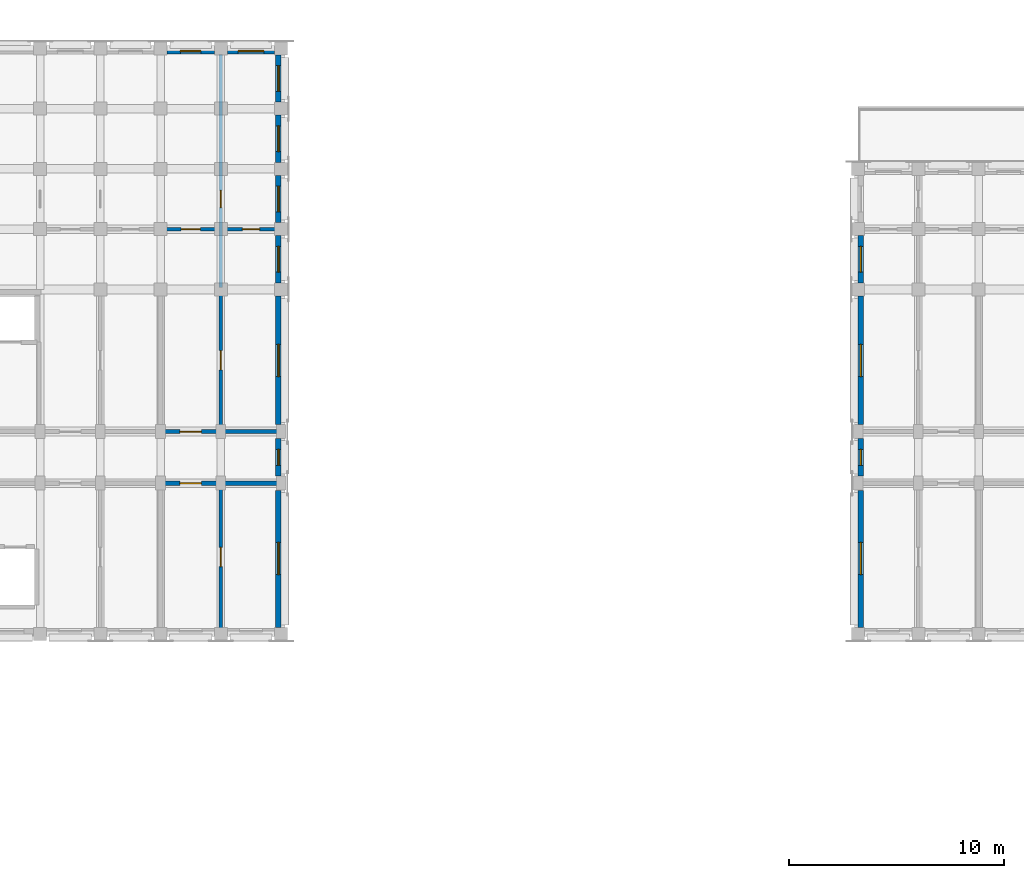
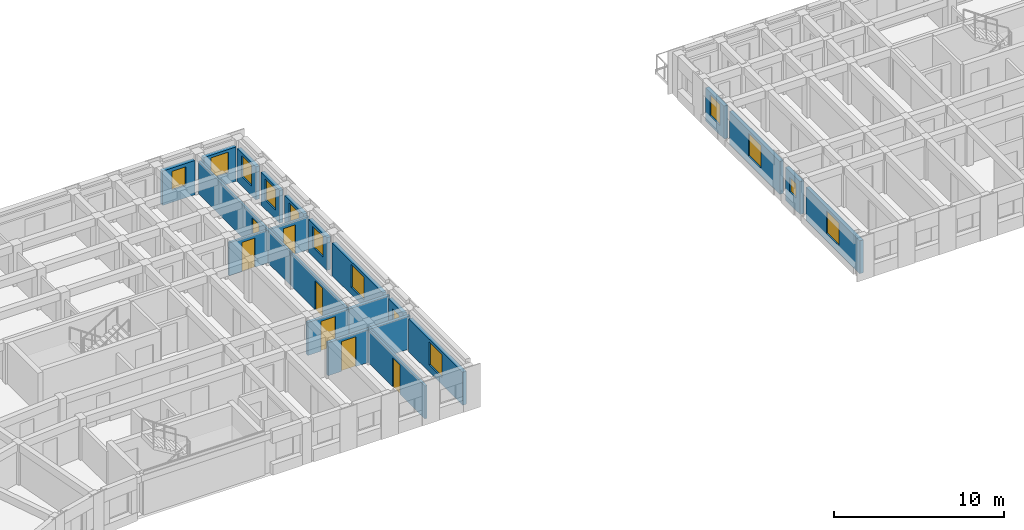
# One storey, part 21 of 41: 22 walls, 13 windows, 7 doors, 20 openings.
"""IFC4 building model written with IfcOpenShell, lengths in metres."""

from ifc_helpers import new_model, si_unit, direction, frame, frame_2d, origin, place, context, subcontext, project, spatial, rectangle, extrude, material, layer, layer_set, type_object, element, fill, save


model = new_model("IFC4")

# Units and contexts
model_context = context("Model", 3, precision=1e-05, world=origin(), true_north=direction((0.0, 1.0)))
body_context = subcontext(model_context, "Body", "Model", "MODEL_VIEW")
ifc_project = project(units=[si_unit("LENGTHUNIT", "METRE"), si_unit("AREAUNIT", "SQUARE_METRE"), si_unit("VOLUMEUNIT", "CUBIC_METRE"), si_unit("PLANEANGLEUNIT", "RADIAN"), si_unit("MASSUNIT", "GRAM", prefix="KILO")], contexts=[model_context])

# Site, building, storey
site_placement = place(None, origin())
site = spatial("IfcSite", under=ifc_project, at=site_placement, CompositionType="ELEMENT")
building_placement = place(site_placement, origin())
building = spatial("IfcBuilding", under=site, at=building_placement, Name="Kiranvali Square Residences", CompositionType="ELEMENT")
storey_placement = place(building_placement, frame((0.0, 0.0, 33.89990234375)))
storey = spatial("IfcBuildingStorey", under=building, at=storey_placement, Name="L10", CompositionType="ELEMENT", Elevation=33.89990234375)

# Wall, opening, door
ifc_material_1 = material(Name="Autoclaved aerated concrete blockwork masonry", Category="masonry")
ifc_layer_1 = layer(ifc_material_1, 0.199951171875)
ifc_layer_set_1 = layer_set([ifc_layer_1], Name="Autoclaved aerated concrete blockwork masonry")
wall_type_1 = type_object("IfcWallType", Name="WL-COR-200", PredefinedType="STANDARD", material=ifc_layer_set_1)
wall_1_placement = place(storey_placement, frame((65.0, 113.60009765625, 0.0), z_axis=(0.0, 0.0, 1.0), x_axis=(1.0, 0.0, 0.0)))
wall_1 = element("IfcWall", 1, at=wall_1_placement, inside=storey, type_object=wall_type_1, Name="L10 architectural wall WL-L10-A-A1CI-2", PredefinedType="STANDARD", context=body_context, shape_type="SweptSolid", body=[
    extrude(rectangle(XDim=2.800048828125, YDim=0.199951171875, at=frame_2d((1.39990234375, 0.0))), origin(), (0.0, 0.0, 1.0), 2.3720703125),
])
opening_1_placement = place(wall_1_placement, frame((0.89990234375, 0.0, 0.0)))
opening_1 = element("IfcOpeningElement", 2, at=opening_1_placement, cuts=wall_1, Name="Opening FD-APT-60", PredefinedType="OPENING", context=body_context, shape_type="SweptSolid", body=[
    extrude(rectangle(XDim=1.0, YDim=2.14990234375, at=frame_2d((0.5, 1.074951171875))), frame((0.0, 0.10986328125, 0.0), z_axis=(0.0, -1.0, 0.0), x_axis=(1.0, 0.0, 0.0)), (0.0, 0.0, 1.0), 0.219970703125),
])
ifc_material_2 = material(Name="Fire-rated acoustic hardwood and mineral-core door assembly", Category="wood")
door_type_1 = type_object("IfcDoorType", Name="DR-APT-1000", OperationType="NOTDEFINED", PredefinedType="DOOR", material=ifc_material_2)
door_1_placement = place(opening_1_placement, frame((1.0, 0.0, 0.0), z_axis=(0.0, 0.0, 1.0), x_axis=(-1.0, 0.0, 0.0)))
door_1 = element("IfcDoor", 3, at=door_1_placement, inside=storey, type_object=door_type_1, Name="L10 door DR-L10-0642 (DR-APT-1000)", OperationType="SINGLE_SWING_RIGHT", OverallHeight=2.14990234375, OverallWidth=1.0, PredefinedType="DOOR", context=body_context, shape_type="SweptSolid", body=[
    extrude(rectangle(XDim=1.0, YDim=2.14990234375, at=frame_2d((0.5, 1.074951171875))), frame((0.0, 0.02490234375, 0.0), z_axis=(0.0, -1.0, 0.0), x_axis=(1.0, 0.0, 0.0)), (0.0, 0.0, 1.0), 0.050048828125),
])
fill(opening_1, door_1)

wall_2_placement = place(storey_placement, frame((65.0, 116.0, 0.0), z_axis=(0.0, 0.0, 1.0), x_axis=(1.0, 0.0, 0.0)))
wall_2 = element("IfcWall", 4, at=wall_2_placement, inside=storey, type_object=wall_type_1, Name="L10 architectural wall WL-L10-A-A1CO-2", PredefinedType="STANDARD", context=body_context, shape_type="SweptSolid", body=[
    extrude(rectangle(XDim=2.800048828125, YDim=0.199951171875, at=frame_2d((1.39990234375, 0.0))), origin(), (0.0, 0.0, 1.0), 2.3720703125),
])
opening_2_placement = place(wall_2_placement, frame((0.89990234375, 0.0, 0.0)))
opening_2 = element("IfcOpeningElement", 5, at=opening_2_placement, cuts=wall_2, Name="Opening FD-APT-60", PredefinedType="OPENING", context=body_context, shape_type="SweptSolid", body=[
    extrude(rectangle(XDim=1.0, YDim=2.14990234375, at=frame_2d((0.5, 1.074951171875))), frame((0.0, 0.10986328125, 0.0), z_axis=(0.0, -1.0, 0.0), x_axis=(1.0, 0.0, 0.0)), (0.0, 0.0, 1.0), 0.219970703125),
])
door_2_placement = place(opening_2_placement, frame((1.0, 0.0, 0.0), z_axis=(0.0, 0.0, 1.0), x_axis=(-1.0, 0.0, 0.0)))
door_2 = element("IfcDoor", 6, at=door_2_placement, inside=storey, type_object=door_type_1, Name="L10 door DR-L10-0644 (DR-APT-1000)", OperationType="SINGLE_SWING_RIGHT", OverallHeight=2.14990234375, OverallWidth=1.0, PredefinedType="DOOR", context=body_context, shape_type="SweptSolid", body=[
    extrude(rectangle(XDim=1.0, YDim=2.14990234375, at=frame_2d((0.5, 1.074951171875))), frame((0.0, 0.02490234375, 0.0), z_axis=(0.0, -1.0, 0.0), x_axis=(1.0, 0.0, 0.0)), (0.0, 0.0, 1.0), 0.050048828125),
])
fill(opening_2, door_2)

# Walls
for number, where, z_axis, x_axis, name in (
    (7, (67.800048828125, 113.60009765625, 0.0), (0.0, 0.0, 1.0), (1.0, 0.0, 0.0), "L10 architectural wall WL-L10-A-A1CI-3"),
    (8, (67.800048828125, 116.0, 0.0), (0.0, 0.0, 1.0), (1.0, 0.0, 0.0), "L10 architectural wall WL-L10-A-A1CO-3"),
):
    element("IfcWall", number, at=place(storey_placement, frame(where, z_axis=z_axis, x_axis=x_axis)), inside=storey, type_object=wall_type_1, Name=name, PredefinedType="STANDARD", context=body_context, shape_type="SweptSolid", body=[
        extrude(rectangle(XDim=2.800048828125, YDim=0.199951171875, at=frame_2d((1.39990234375, 0.0))), origin(), (0.0, 0.0, 1.0), 2.3720703125),
    ])

# Wall, opening, window
ifc_material_3 = material(Name="Breathable lime-rendered clay brick masonry", Category="masonry")
ifc_layer_2 = layer(ifc_material_3, 0.25)
ifc_layer_set_2 = layer_set([ifc_layer_2], Name="Breathable lime-rendered clay brick masonry")
wall_type_2 = type_object("IfcWallType", Name="WL-EXT-250", PredefinedType="STANDARD", material=ifc_layer_set_2)
wall_3_placement = place(storey_placement, frame((65.303466796875, 133.675048828125, 0.0), z_axis=(0.0, 0.0, 1.0), x_axis=(1.0, 0.0, 0.0)))
wall_3 = element("IfcWall", 9, at=wall_3_placement, inside=storey, type_object=wall_type_2, Name="L10 exterior wall A-L10-A1O-4", PredefinedType="STANDARD", context=body_context, shape_type="SweptSolid", body=[
    extrude(rectangle(XDim=2.193115234375, YDim=0.25, at=frame_2d((1.0966796875, 0.0))), origin(), (0.0, 0.0, 1.0), 2.47216796875),
])
opening_3_placement = place(wall_3_placement, frame((0.62158203125, 0.0, 0.8798828125)))
opening_3 = element("IfcOpeningElement", 10, at=opening_3_placement, cuts=wall_3, Name="Opening W-16", PredefinedType="OPENING", context=body_context, shape_type="SweptSolid", body=[
    extrude(rectangle(XDim=0.949951171875, YDim=1.35009765625, at=frame_2d((0.47509765625, 0.675048828125))), frame((0.0, 0.135009765625, 0.0), z_axis=(0.0, -1.0, 0.0), x_axis=(1.0, 0.0, 0.0)), (0.0, 0.0, 1.0), 0.27001953125),
])
ifc_material_4 = material(Name="Solar-control low-e double glazing", Category="glass")
window_type_1 = type_object("IfcWindowType", Name="WIN-RES-950x1350", PartitioningType="SINGLE_PANEL", PredefinedType="WINDOW", material=ifc_material_4)
window_1_placement = place(opening_3_placement, origin())
window_1 = element("IfcWindow", 11, at=window_1_placement, inside=storey, type_object=window_type_1, Name="L10 recessed window A-L10-A1O-4", OverallHeight=1.35009765625, OverallWidth=0.949951171875, PartitioningType="SINGLE_PANEL", PredefinedType="WINDOW", context=body_context, shape_type="SweptSolid", body=[
    extrude(rectangle(XDim=0.949951171875, YDim=1.35009765625, at=frame_2d((0.47509765625, 0.675048828125))), frame((0.0, 0.030029296875, 0.0), z_axis=(0.0, -1.0, 0.0), x_axis=(1.0, 0.0, 0.0)), (0.0, 0.0, 1.0), 0.06005859375),
])
fill(opening_3, window_1)

wall_4_placement = place(storey_placement, frame((68.103515625, 133.675048828125, 0.0), z_axis=(0.0, 0.0, 1.0), x_axis=(1.0, 0.0, 0.0)))
wall_4 = element("IfcWall", 12, at=wall_4_placement, inside=storey, type_object=wall_type_2, Name="L10 exterior wall A-L10-A1O-5", PredefinedType="STANDARD", context=body_context, shape_type="SweptSolid", body=[
    extrude(rectangle(XDim=2.19287109375, YDim=0.25, at=frame_2d((1.096435546875, 0.0))), origin(), (0.0, 0.0, 1.0), 2.47216796875),
])
opening_4_placement = place(wall_4_placement, frame((0.49658203125, 0.0, 0.77197265625)))
opening_4 = element("IfcOpeningElement", 13, at=opening_4_placement, cuts=wall_4, Name="Opening W-06", PredefinedType="OPENING", context=body_context, shape_type="SweptSolid", body=[
    extrude(rectangle(XDim=1.199951171875, YDim=1.5, at=frame_2d((0.60009765625, 0.75))), frame((0.0, 0.135009765625, 0.0), z_axis=(0.0, -1.0, 0.0), x_axis=(1.0, 0.0, 0.0)), (0.0, 0.0, 1.0), 0.27001953125),
])
window_type_2 = type_object("IfcWindowType", Name="WIN-RES-1200x1500", PartitioningType="SINGLE_PANEL", PredefinedType="WINDOW", material=ifc_material_4)
window_2_placement = place(opening_4_placement, origin())
window_2 = element("IfcWindow", 14, at=window_2_placement, inside=storey, type_object=window_type_2, Name="L10 recessed window A-L10-A1O-5", OverallHeight=1.5, OverallWidth=1.199951171875, PartitioningType="SINGLE_PANEL", PredefinedType="WINDOW", context=body_context, shape_type="SweptSolid", body=[
    extrude(rectangle(XDim=1.199951171875, YDim=1.5, at=frame_2d((0.60009765625, 0.75))), frame((0.0, 0.030029296875, 0.0), z_axis=(0.0, -1.0, 0.0), x_axis=(1.0, 0.0, 0.0)), (0.0, 0.0, 1.0), 0.06005859375),
])
fill(opening_4, window_2)

wall_5_placement = place(storey_placement, frame((70.47509765625, 106.903564453125, 0.0), z_axis=(0.0, 0.0, 1.0), x_axis=(0.0, 1.0, 0.0)))
wall_5 = element("IfcWall", 15, at=wall_5_placement, inside=storey, type_object=wall_type_2, Name="L10 exterior wall A-L10-A1END-0", PredefinedType="STANDARD", context=body_context, shape_type="SweptSolid", body=[
    extrude(rectangle(XDim=6.367919921875, YDim=0.25, at=frame_2d((3.18408203125, 0.0))), origin(), (0.0, 0.0, 1.0), 2.3720703125),
])
opening_5_placement = place(wall_5_placement, frame((2.446533203125, 0.0, 0.52197265625)))
opening_5 = element("IfcOpeningElement", 16, at=opening_5_placement, cuts=wall_5, Name="Opening W-05", PredefinedType="OPENING", context=body_context, shape_type="SweptSolid", body=[
    extrude(rectangle(XDim=1.5, YDim=1.64990234375, at=frame_2d((0.75, 0.824951171875))), frame((0.0, 0.135009765625, 0.0), z_axis=(0.0, -1.0, 0.0), x_axis=(1.0, 0.0, 0.0)), (0.0, 0.0, 1.0), 0.27001953125),
])
window_type_3 = type_object("IfcWindowType", Name="WIN-RES-1500x1650", PartitioningType="DOUBLE_PANEL_VERTICAL", PredefinedType="WINDOW", material=ifc_material_4)
window_3_placement = place(opening_5_placement, origin())
window_3 = element("IfcWindow", 17, at=window_3_placement, inside=storey, type_object=window_type_3, Name="L10 recessed window A-L10-A1END-0", OverallHeight=1.64990234375, OverallWidth=1.5, PartitioningType="DOUBLE_PANEL_VERTICAL", PredefinedType="WINDOW", context=body_context, shape_type="SweptSolid", body=[
    extrude(rectangle(XDim=1.5, YDim=1.64990234375, at=frame_2d((0.75, 0.824951171875))), frame((0.0, 0.030029296875, 0.0), z_axis=(0.0, -1.0, 0.0), x_axis=(1.0, 0.0, 0.0)), (0.0, 0.0, 1.0), 0.06005859375),
])
fill(opening_5, window_3)

wall_6_placement = place(storey_placement, frame((70.47509765625, 113.928466796875, 0.0), z_axis=(0.0, 0.0, 1.0), x_axis=(0.0, 1.0, 0.0)))
wall_6 = element("IfcWall", 18, at=wall_6_placement, inside=storey, type_object=wall_type_2, Name="L10 exterior wall A-L10-A1END-1", PredefinedType="STANDARD", context=body_context, shape_type="SweptSolid", body=[
    extrude(rectangle(XDim=1.742919921875, YDim=0.25, at=frame_2d((0.87158203125, 0.0))), origin(), (0.0, 0.0, 1.0), 2.3720703125),
])
opening_6_placement = place(wall_6_placement, frame((0.49658203125, 0.0, 0.8798828125)))
opening_6 = element("IfcOpeningElement", 19, at=opening_6_placement, cuts=wall_6, Name="Opening W-07", PredefinedType="OPENING", context=body_context, shape_type="SweptSolid", body=[
    extrude(rectangle(XDim=0.75, YDim=1.050048828125, at=frame_2d((0.375, 0.52490234375))), frame((0.0, 0.135009765625, 0.0), z_axis=(0.0, -1.0, 0.0), x_axis=(1.0, 0.0, 0.0)), (0.0, 0.0, 1.0), 0.27001953125),
])
window_type_4 = type_object("IfcWindowType", Name="WIN-WET-750x1050", PartitioningType="SINGLE_PANEL", PredefinedType="WINDOW", material=ifc_material_4)
window_4_placement = place(opening_6_placement, origin())
window_4 = element("IfcWindow", 20, at=window_4_placement, inside=storey, type_object=window_type_4, Name="L10 recessed window A-L10-A1END-1", OverallHeight=1.050048828125, OverallWidth=0.75, PartitioningType="SINGLE_PANEL", PredefinedType="WINDOW", context=body_context, shape_type="SweptSolid", body=[
    extrude(rectangle(XDim=0.75, YDim=1.050048828125, at=frame_2d((0.375, 0.52490234375))), frame((0.0, 0.030029296875, 0.0), z_axis=(0.0, -1.0, 0.0), x_axis=(1.0, 0.0, 0.0)), (0.0, 0.0, 1.0), 0.06005859375),
])
fill(opening_6, window_4)

wall_7_placement = place(storey_placement, frame((70.47509765625, 116.32861328125, 0.0), z_axis=(0.0, 0.0, 1.0), x_axis=(0.0, 1.0, 0.0)))
wall_7 = element("IfcWall", 21, at=wall_7_placement, inside=storey, type_object=wall_type_2, Name="L10 exterior wall A-L10-A1END-2", PredefinedType="STANDARD", context=body_context, shape_type="SweptSolid", body=[
    extrude(rectangle(XDim=5.9677734375, YDim=0.25, at=frame_2d((2.98388671875, 0.0))), origin(), (0.0, 0.0, 1.0), 2.3720703125),
])
opening_7_placement = place(wall_7_placement, frame((2.221435546875, 0.0, 0.52197265625)))
opening_7 = element("IfcOpeningElement", 22, at=opening_7_placement, cuts=wall_7, Name="Opening W-05", PredefinedType="OPENING", context=body_context, shape_type="SweptSolid", body=[
    extrude(rectangle(XDim=1.5, YDim=1.64990234375, at=frame_2d((0.75, 0.824951171875))), frame((0.0, 0.135009765625, 0.0), z_axis=(0.0, -1.0, 0.0), x_axis=(1.0, 0.0, 0.0)), (0.0, 0.0, 1.0), 0.27001953125),
])
window_5_placement = place(opening_7_placement, origin())
window_5 = element("IfcWindow", 23, at=window_5_placement, inside=storey, type_object=window_type_3, Name="L10 recessed window A-L10-A1END-2", OverallHeight=1.64990234375, OverallWidth=1.5, PartitioningType="DOUBLE_PANEL_VERTICAL", PredefinedType="WINDOW", context=body_context, shape_type="SweptSolid", body=[
    extrude(rectangle(XDim=1.5, YDim=1.64990234375, at=frame_2d((0.75, 0.824951171875))), frame((0.0, 0.030029296875, 0.0), z_axis=(0.0, -1.0, 0.0), x_axis=(1.0, 0.0, 0.0)), (0.0, 0.0, 1.0), 0.06005859375),
])
fill(opening_7, window_5)

wall_8_placement = place(storey_placement, frame((70.47509765625, 122.903564453125, 0.0), z_axis=(0.0, 0.0, 1.0), x_axis=(0.0, 1.0, 0.0)))
wall_8 = element("IfcWall", 24, at=wall_8_placement, inside=storey, type_object=wall_type_2, Name="L10 exterior wall A-L10-A1END-3", PredefinedType="STANDARD", context=body_context, shape_type="SweptSolid", body=[
    extrude(rectangle(XDim=2.19287109375, YDim=0.25, at=frame_2d((1.096435546875, 0.0))), origin(), (0.0, 0.0, 1.0), 2.3720703125),
])
opening_8_placement = place(wall_8_placement, frame((0.49658203125, 0.0, 0.672119140625)))
opening_8 = element("IfcOpeningElement", 25, at=opening_8_placement, cuts=wall_8, Name="Opening W-06", PredefinedType="OPENING", context=body_context, shape_type="SweptSolid", body=[
    extrude(rectangle(XDim=1.199951171875, YDim=1.5, at=frame_2d((0.60009765625, 0.75))), frame((0.0, 0.135009765625, 0.0), z_axis=(0.0, -1.0, 0.0), x_axis=(1.0, 0.0, 0.0)), (0.0, 0.0, 1.0), 0.27001953125),
])
window_6_placement = place(opening_8_placement, origin())
window_6 = element("IfcWindow", 26, at=window_6_placement, inside=storey, type_object=window_type_2, Name="L10 recessed window A-L10-A1END-3", OverallHeight=1.5, OverallWidth=1.199951171875, PartitioningType="SINGLE_PANEL", PredefinedType="WINDOW", context=body_context, shape_type="SweptSolid", body=[
    extrude(rectangle(XDim=1.199951171875, YDim=1.5, at=frame_2d((0.60009765625, 0.75))), frame((0.0, 0.030029296875, 0.0), z_axis=(0.0, -1.0, 0.0), x_axis=(1.0, 0.0, 0.0)), (0.0, 0.0, 1.0), 0.06005859375),
])
fill(opening_8, window_6)

wall_9_placement = place(storey_placement, frame((70.47509765625, 125.70361328125, 0.0), z_axis=(0.0, 0.0, 1.0), x_axis=(0.0, 1.0, 0.0)))
wall_9 = element("IfcWall", 27, at=wall_9_placement, inside=storey, type_object=wall_type_2, Name="L10 exterior wall A-L10-A1END-4", PredefinedType="STANDARD", context=body_context, shape_type="SweptSolid", body=[
    extrude(rectangle(XDim=2.19287109375, YDim=0.25, at=frame_2d((1.096435546875, 0.0))), origin(), (0.0, 0.0, 1.0), 2.3720703125),
])
opening_9_placement = place(wall_9_placement, frame((0.49658203125, 0.0, 0.672119140625)))
opening_9 = element("IfcOpeningElement", 28, at=opening_9_placement, cuts=wall_9, Name="Opening W-06", PredefinedType="OPENING", context=body_context, shape_type="SweptSolid", body=[
    extrude(rectangle(XDim=1.199951171875, YDim=1.5, at=frame_2d((0.60009765625, 0.75))), frame((0.0, 0.135009765625, 0.0), z_axis=(0.0, -1.0, 0.0), x_axis=(1.0, 0.0, 0.0)), (0.0, 0.0, 1.0), 0.27001953125),
])
window_7_placement = place(opening_9_placement, origin())
window_7 = element("IfcWindow", 29, at=window_7_placement, inside=storey, type_object=window_type_2, Name="L10 recessed window A-L10-A1END-4", OverallHeight=1.5, OverallWidth=1.199951171875, PartitioningType="SINGLE_PANEL", PredefinedType="WINDOW", context=body_context, shape_type="SweptSolid", body=[
    extrude(rectangle(XDim=1.199951171875, YDim=1.5, at=frame_2d((0.60009765625, 0.75))), frame((0.0, 0.030029296875, 0.0), z_axis=(0.0, -1.0, 0.0), x_axis=(1.0, 0.0, 0.0)), (0.0, 0.0, 1.0), 0.06005859375),
])
fill(opening_9, window_7)

wall_10_placement = place(storey_placement, frame((70.47509765625, 128.50341796875, 0.0), z_axis=(0.0, 0.0, 1.0), x_axis=(0.0, 1.0, 0.0)))
wall_10 = element("IfcWall", 30, at=wall_10_placement, inside=storey, type_object=wall_type_2, Name="L10 exterior wall A-L10-A1END-5", PredefinedType="STANDARD", context=body_context, shape_type="SweptSolid", body=[
    extrude(rectangle(XDim=2.193115234375, YDim=0.25, at=frame_2d((1.0966796875, 0.0))), origin(), (0.0, 0.0, 1.0), 2.3720703125),
])
opening_10_placement = place(wall_10_placement, frame((0.49658203125, 0.0, 0.672119140625)))
opening_10 = element("IfcOpeningElement", 31, at=opening_10_placement, cuts=wall_10, Name="Opening W-06", PredefinedType="OPENING", context=body_context, shape_type="SweptSolid", body=[
    extrude(rectangle(XDim=1.199951171875, YDim=1.5, at=frame_2d((0.60009765625, 0.75))), frame((0.0, 0.135009765625, 0.0), z_axis=(0.0, -1.0, 0.0), x_axis=(1.0, 0.0, 0.0)), (0.0, 0.0, 1.0), 0.27001953125),
])
window_8_placement = place(opening_10_placement, origin())
window_8 = element("IfcWindow", 32, at=window_8_placement, inside=storey, type_object=window_type_2, Name="L10 recessed window A-L10-A1END-5", OverallHeight=1.5, OverallWidth=1.199951171875, PartitioningType="SINGLE_PANEL", PredefinedType="WINDOW", context=body_context, shape_type="SweptSolid", body=[
    extrude(rectangle(XDim=1.199951171875, YDim=1.5, at=frame_2d((0.60009765625, 0.75))), frame((0.0, 0.030029296875, 0.0), z_axis=(0.0, -1.0, 0.0), x_axis=(1.0, 0.0, 0.0)), (0.0, 0.0, 1.0), 0.06005859375),
])
fill(opening_10, window_8)

wall_11_placement = place(storey_placement, frame((70.47509765625, 131.303466796875, 0.0), z_axis=(0.0, 0.0, 1.0), x_axis=(0.0, 1.0, 0.0)))
wall_11 = element("IfcWall", 33, at=wall_11_placement, inside=storey, type_object=wall_type_2, Name="L10 exterior wall A-L10-A1END-6", PredefinedType="STANDARD", context=body_context, shape_type="SweptSolid", body=[
    extrude(rectangle(XDim=2.193115234375, YDim=0.25, at=frame_2d((1.0966796875, 0.0))), origin(), (0.0, 0.0, 1.0), 2.3720703125),
])
opening_11_placement = place(wall_11_placement, frame((0.49658203125, 0.0, 0.672119140625)))
opening_11 = element("IfcOpeningElement", 34, at=opening_11_placement, cuts=wall_11, Name="Opening W-06", PredefinedType="OPENING", context=body_context, shape_type="SweptSolid", body=[
    extrude(rectangle(XDim=1.199951171875, YDim=1.5, at=frame_2d((0.60009765625, 0.75))), frame((0.0, 0.135009765625, 0.0), z_axis=(0.0, -1.0, 0.0), x_axis=(1.0, 0.0, 0.0)), (0.0, 0.0, 1.0), 0.27001953125),
])
window_9_placement = place(opening_11_placement, origin())
window_9 = element("IfcWindow", 35, at=window_9_placement, inside=storey, type_object=window_type_2, Name="L10 recessed window A-L10-A1END-6", OverallHeight=1.5, OverallWidth=1.199951171875, PartitioningType="SINGLE_PANEL", PredefinedType="WINDOW", context=body_context, shape_type="SweptSolid", body=[
    extrude(rectangle(XDim=1.199951171875, YDim=1.5, at=frame_2d((0.60009765625, 0.75))), frame((0.0, 0.030029296875, 0.0), z_axis=(0.0, -1.0, 0.0), x_axis=(1.0, 0.0, 0.0)), (0.0, 0.0, 1.0), 0.06005859375),
])
fill(opening_11, window_9)

wall_12_placement = place(storey_placement, frame((97.52490234375, 106.903564453125, 0.0), z_axis=(0.0, 0.0, 1.0), x_axis=(0.0, 1.0, 0.0)))
wall_12 = element("IfcWall", 36, at=wall_12_placement, inside=storey, type_object=wall_type_2, Name="L10 exterior wall B-L10-A1END-0", PredefinedType="STANDARD", context=body_context, shape_type="SweptSolid", body=[
    extrude(rectangle(XDim=6.367919921875, YDim=0.25, at=frame_2d((3.18408203125, 0.0))), origin(), (0.0, 0.0, 1.0), 2.3720703125),
])
opening_12_placement = place(wall_12_placement, frame((2.446533203125, 0.0, 0.52197265625)))
opening_12 = element("IfcOpeningElement", 37, at=opening_12_placement, cuts=wall_12, Name="Opening W-05", PredefinedType="OPENING", context=body_context, shape_type="SweptSolid", body=[
    extrude(rectangle(XDim=1.5, YDim=1.64990234375, at=frame_2d((0.75, 0.824951171875))), frame((0.0, 0.135009765625, 0.0), z_axis=(0.0, -1.0, 0.0), x_axis=(1.0, 0.0, 0.0)), (0.0, 0.0, 1.0), 0.27001953125),
])
window_10_placement = place(opening_12_placement, origin())
window_10 = element("IfcWindow", 38, at=window_10_placement, inside=storey, type_object=window_type_3, Name="L10 recessed window B-L10-A1END-0", OverallHeight=1.64990234375, OverallWidth=1.5, PartitioningType="DOUBLE_PANEL_VERTICAL", PredefinedType="WINDOW", context=body_context, shape_type="SweptSolid", body=[
    extrude(rectangle(XDim=1.5, YDim=1.64990234375, at=frame_2d((0.75, 0.824951171875))), frame((0.0, 0.030029296875, 0.0), z_axis=(0.0, -1.0, 0.0), x_axis=(1.0, 0.0, 0.0)), (0.0, 0.0, 1.0), 0.06005859375),
])
fill(opening_12, window_10)

wall_13_placement = place(storey_placement, frame((97.52490234375, 113.928466796875, 0.0), z_axis=(0.0, 0.0, 1.0), x_axis=(0.0, 1.0, 0.0)))
wall_13 = element("IfcWall", 39, at=wall_13_placement, inside=storey, type_object=wall_type_2, Name="L10 exterior wall B-L10-A1END-1", PredefinedType="STANDARD", context=body_context, shape_type="SweptSolid", body=[
    extrude(rectangle(XDim=1.742919921875, YDim=0.25, at=frame_2d((0.87158203125, 0.0))), origin(), (0.0, 0.0, 1.0), 2.3720703125),
])
opening_13_placement = place(wall_13_placement, frame((0.49658203125, 0.0, 0.8798828125)))
opening_13 = element("IfcOpeningElement", 40, at=opening_13_placement, cuts=wall_13, Name="Opening W-07", PredefinedType="OPENING", context=body_context, shape_type="SweptSolid", body=[
    extrude(rectangle(XDim=0.75, YDim=1.050048828125, at=frame_2d((0.375, 0.52490234375))), frame((0.0, 0.135009765625, 0.0), z_axis=(0.0, -1.0, 0.0), x_axis=(1.0, 0.0, 0.0)), (0.0, 0.0, 1.0), 0.27001953125),
])
window_11_placement = place(opening_13_placement, origin())
window_11 = element("IfcWindow", 41, at=window_11_placement, inside=storey, type_object=window_type_4, Name="L10 recessed window B-L10-A1END-1", OverallHeight=1.050048828125, OverallWidth=0.75, PartitioningType="SINGLE_PANEL", PredefinedType="WINDOW", context=body_context, shape_type="SweptSolid", body=[
    extrude(rectangle(XDim=0.75, YDim=1.050048828125, at=frame_2d((0.375, 0.52490234375))), frame((0.0, 0.030029296875, 0.0), z_axis=(0.0, -1.0, 0.0), x_axis=(1.0, 0.0, 0.0)), (0.0, 0.0, 1.0), 0.06005859375),
])
fill(opening_13, window_11)

wall_14_placement = place(storey_placement, frame((97.52490234375, 116.32861328125, 0.0), z_axis=(0.0, 0.0, 1.0), x_axis=(0.0, 1.0, 0.0)))
wall_14 = element("IfcWall", 42, at=wall_14_placement, inside=storey, type_object=wall_type_2, Name="L10 exterior wall B-L10-A1END-2", PredefinedType="STANDARD", context=body_context, shape_type="SweptSolid", body=[
    extrude(rectangle(XDim=5.9677734375, YDim=0.25, at=frame_2d((2.98388671875, 0.0))), origin(), (0.0, 0.0, 1.0), 2.3720703125),
])
opening_14_placement = place(wall_14_placement, frame((2.221435546875, 0.0, 0.52197265625)))
opening_14 = element("IfcOpeningElement", 43, at=opening_14_placement, cuts=wall_14, Name="Opening W-05", PredefinedType="OPENING", context=body_context, shape_type="SweptSolid", body=[
    extrude(rectangle(XDim=1.5, YDim=1.64990234375, at=frame_2d((0.75, 0.824951171875))), frame((0.0, 0.135009765625, 0.0), z_axis=(0.0, -1.0, 0.0), x_axis=(1.0, 0.0, 0.0)), (0.0, 0.0, 1.0), 0.27001953125),
])
window_12_placement = place(opening_14_placement, origin())
window_12 = element("IfcWindow", 44, at=window_12_placement, inside=storey, type_object=window_type_3, Name="L10 recessed window B-L10-A1END-2", OverallHeight=1.64990234375, OverallWidth=1.5, PartitioningType="DOUBLE_PANEL_VERTICAL", PredefinedType="WINDOW", context=body_context, shape_type="SweptSolid", body=[
    extrude(rectangle(XDim=1.5, YDim=1.64990234375, at=frame_2d((0.75, 0.824951171875))), frame((0.0, 0.030029296875, 0.0), z_axis=(0.0, -1.0, 0.0), x_axis=(1.0, 0.0, 0.0)), (0.0, 0.0, 1.0), 0.06005859375),
])
fill(opening_14, window_12)

wall_15_placement = place(storey_placement, frame((97.52490234375, 122.903564453125, 0.0), z_axis=(0.0, 0.0, 1.0), x_axis=(0.0, 1.0, 0.0)))
wall_15 = element("IfcWall", 45, at=wall_15_placement, inside=storey, type_object=wall_type_2, Name="L10 exterior wall B-L10-A1END-3", PredefinedType="STANDARD", context=body_context, shape_type="SweptSolid", body=[
    extrude(rectangle(XDim=2.19287109375, YDim=0.25, at=frame_2d((1.096435546875, 0.0))), origin(), (0.0, 0.0, 1.0), 2.3720703125),
])
opening_15_placement = place(wall_15_placement, frame((0.49658203125, 0.0, 0.672119140625)))
opening_15 = element("IfcOpeningElement", 46, at=opening_15_placement, cuts=wall_15, Name="Opening W-06", PredefinedType="OPENING", context=body_context, shape_type="SweptSolid", body=[
    extrude(rectangle(XDim=1.199951171875, YDim=1.5, at=frame_2d((0.60009765625, 0.75))), frame((0.0, 0.135009765625, 0.0), z_axis=(0.0, -1.0, 0.0), x_axis=(1.0, 0.0, 0.0)), (0.0, 0.0, 1.0), 0.27001953125),
])
window_13_placement = place(opening_15_placement, origin())
window_13 = element("IfcWindow", 47, at=window_13_placement, inside=storey, type_object=window_type_2, Name="L10 recessed window B-L10-A1END-3", OverallHeight=1.5, OverallWidth=1.199951171875, PartitioningType="SINGLE_PANEL", PredefinedType="WINDOW", context=body_context, shape_type="SweptSolid", body=[
    extrude(rectangle(XDim=1.199951171875, YDim=1.5, at=frame_2d((0.60009765625, 0.75))), frame((0.0, 0.030029296875, 0.0), z_axis=(0.0, -1.0, 0.0), x_axis=(1.0, 0.0, 0.0)), (0.0, 0.0, 1.0), 0.06005859375),
])
fill(opening_15, window_13)

# Wall, opening, door
ifc_material_5 = material(Name="Acoustic gypsum board drylined partition", Category="gypsum")
ifc_layer_3 = layer(ifc_material_5, 0.14990234375)
ifc_layer_set_3 = layer_set([ifc_layer_3], Name="Acoustic gypsum board drylined partition")
wall_type_3 = type_object("IfcWallType", Name="WL-PRT-150", PredefinedType="PARTITIONING", material=ifc_layer_set_3)
wall_16_placement = place(storey_placement, frame((67.800048828125, 106.800048828125, 0.0), z_axis=(0.0, 0.0, 1.0), x_axis=(0.0, 1.0, 0.0)))
wall_16 = element("IfcWall", 48, at=wall_16_placement, inside=storey, type_object=wall_type_3, Name="L10 architectural wall WL-L10-A-A1TI-3", PredefinedType="PARTITIONING", context=body_context, shape_type="SweptSolid", body=[
    extrude(rectangle(XDim=6.75, YDim=0.14990234375, at=frame_2d((3.375, 0.0))), origin(), (0.0, 0.0, 1.0), 2.3720703125),
])
opening_16_placement = place(wall_16_placement, frame((2.925048828125, 0.0, 0.0)))
opening_16 = element("IfcOpeningElement", 49, at=opening_16_placement, cuts=wall_16, Name="Opening ID-1", PredefinedType="OPENING", context=body_context, shape_type="SweptSolid", body=[
    extrude(rectangle(XDim=0.89990234375, YDim=2.10009765625, at=frame_2d((0.449951171875, 1.050048828125))), frame((0.0, 0.0849609375, 0.0), z_axis=(0.0, -1.0, 0.0), x_axis=(1.0, 0.0, 0.0)), (0.0, 0.0, 1.0), 0.169921875),
])
ifc_material_6 = material(Name="Solid seasoned teak hardwood joinery", Category="wood")
door_type_2 = type_object("IfcDoorType", Name="DR-INT-900", OperationType="NOTDEFINED", PredefinedType="DOOR", material=ifc_material_6)
door_3_placement = place(opening_16_placement, frame((0.89990234375, 0.0, 0.0), z_axis=(0.0, 0.0, 1.0), x_axis=(-1.0, 0.0, 0.0)))
door_3 = element("IfcDoor", 50, at=door_3_placement, inside=storey, type_object=door_type_2, Name="L10 door DR-L10-0650 (DR-INT-900)", OperationType="SINGLE_SWING_RIGHT", OverallHeight=2.10009765625, OverallWidth=0.89990234375, PredefinedType="DOOR", context=body_context, shape_type="SweptSolid", body=[
    extrude(rectangle(XDim=0.89990234375, YDim=2.10009765625, at=frame_2d((0.449951171875, 1.050048828125))), frame((0.0, 0.02490234375, 0.0), z_axis=(0.0, -1.0, 0.0), x_axis=(1.0, 0.0, 0.0)), (0.0, 0.0, 1.0), 0.050048828125),
])
fill(opening_16, door_3)

wall_17_placement = place(storey_placement, frame((67.800048828125, 116.050048828125, 0.0), z_axis=(0.0, 0.0, 1.0), x_axis=(0.0, 1.0, 0.0)))
wall_17 = element("IfcWall", 51, at=wall_17_placement, inside=storey, type_object=wall_type_3, Name="L10 architectural wall WL-L10-A-A1TO1-3", PredefinedType="PARTITIONING", context=body_context, shape_type="SweptSolid", body=[
    extrude(rectangle(XDim=6.530029296875, YDim=0.14990234375, at=frame_2d((3.26513671875, 0.0))), origin(), (0.0, 0.0, 1.0), 2.3720703125),
])
opening_17_placement = place(wall_17_placement, frame((2.81494140625, 0.0, 0.0)))
opening_17 = element("IfcOpeningElement", 52, at=opening_17_placement, cuts=wall_17, Name="Opening ID-1", PredefinedType="OPENING", context=body_context, shape_type="SweptSolid", body=[
    extrude(rectangle(XDim=0.89990234375, YDim=2.10009765625, at=frame_2d((0.449951171875, 1.050048828125))), frame((0.0, 0.0849609375, 0.0), z_axis=(0.0, -1.0, 0.0), x_axis=(1.0, 0.0, 0.0)), (0.0, 0.0, 1.0), 0.169921875),
])
door_4_placement = place(opening_17_placement, origin())
door_4 = element("IfcDoor", 53, at=door_4_placement, inside=storey, type_object=door_type_2, Name="L10 door DR-L10-0651 (DR-INT-900)", OperationType="SINGLE_SWING_LEFT", OverallHeight=2.10009765625, OverallWidth=0.89990234375, PredefinedType="DOOR", context=body_context, shape_type="SweptSolid", body=[
    extrude(rectangle(XDim=0.89990234375, YDim=2.10009765625, at=frame_2d((0.449951171875, 1.050048828125))), frame((0.0, 0.02490234375, 0.0), z_axis=(0.0, -1.0, 0.0), x_axis=(1.0, 0.0, 0.0)), (0.0, 0.0, 1.0), 0.050048828125),
])
fill(opening_17, door_4)

wall_18_placement = place(storey_placement, frame((67.800048828125, 122.699951171875, 0.0), z_axis=(0.0, 0.0, 1.0), x_axis=(0.0, 1.0, 0.0)))
wall_18 = element("IfcWall", 54, at=wall_18_placement, inside=storey, type_object=wall_type_3, Name="L10 architectural wall WL-L10-A-A1TO2-3", PredefinedType="PARTITIONING", context=body_context, shape_type="SweptSolid", body=[
    extrude(rectangle(XDim=10.820068359375, YDim=0.14990234375, at=frame_2d((5.41015625, 0.0))), origin(), (0.0, 0.0, 1.0), 2.3720703125),
])
opening_18_placement = place(wall_18_placement, frame((3.69970703125, 0.0, 0.0)))
opening_18 = element("IfcOpeningElement", 55, at=opening_18_placement, cuts=wall_18, Name="Opening ID-WET", PredefinedType="OPENING", context=body_context, shape_type="SweptSolid", body=[
    extrude(rectangle(XDim=0.800048828125, YDim=2.10009765625, at=frame_2d((0.39990234375, 1.050048828125))), frame((0.0, 0.0849609375, 0.0), z_axis=(0.0, -1.0, 0.0), x_axis=(1.0, 0.0, 0.0)), (0.0, 0.0, 1.0), 0.169921875),
])
door_type_3 = type_object("IfcDoorType", Name="DR-WET-800", OperationType="NOTDEFINED", PredefinedType="DOOR", material=ifc_material_6)
door_5_placement = place(opening_18_placement, frame((0.800048828125, 0.0, 0.0), z_axis=(0.0, 0.0, 1.0), x_axis=(-1.0, 0.0, 0.0)))
door_5 = element("IfcDoor", 56, at=door_5_placement, inside=storey, type_object=door_type_3, Name="L10 door DR-L10-0652 (DR-WET-800)", OperationType="SINGLE_SWING_RIGHT", OverallHeight=2.10009765625, OverallWidth=0.800048828125, PredefinedType="DOOR", context=body_context, shape_type="SweptSolid", body=[
    extrude(rectangle(XDim=0.800048828125, YDim=2.10009765625, at=frame_2d((0.39990234375, 1.050048828125))), frame((0.0, 0.02490234375, 0.0), z_axis=(0.0, -1.0, 0.0), x_axis=(1.0, 0.0, 0.0)), (0.0, 0.0, 1.0), 0.050048828125),
])
fill(opening_18, door_5)

ifc_layer_4 = layer(ifc_material_1, 0.14990234375)
ifc_layer_set_4 = layer_set([ifc_layer_4], Name="Autoclaved aerated concrete blockwork masonry")
wall_type_4 = type_object("IfcWallType", Name="WL-WET-150", PredefinedType="PLUMBINGWALL", material=ifc_layer_set_4)
wall_19_placement = place(storey_placement, frame((65.080078125, 125.39990234375, 0.0), z_axis=(0.0, 0.0, 1.0), x_axis=(1.0, 0.0, 0.0)))
wall_19 = element("IfcWall", 57, at=wall_19_placement, inside=storey, type_object=wall_type_4, Name="L10 architectural wall WL-L10-A-A1SP-2", PredefinedType="PLUMBINGWALL", context=body_context, shape_type="SweptSolid", body=[
    extrude(rectangle(XDim=2.639892578125, YDim=0.14990234375, at=frame_2d((1.31982421875, 0.0))), origin(), (0.0, 0.0, 1.0), 2.3720703125),
])
opening_19_placement = place(wall_19_placement, frame((0.8701171875, 0.0, 0.0)))
opening_19 = element("IfcOpeningElement", 58, at=opening_19_placement, cuts=wall_19, Name="Opening ID-1", PredefinedType="OPENING", context=body_context, shape_type="SweptSolid", body=[
    extrude(rectangle(XDim=0.89990234375, YDim=2.10009765625, at=frame_2d((0.449951171875, 1.050048828125))), frame((0.0, 0.0849609375, 0.0), z_axis=(0.0, -1.0, 0.0), x_axis=(1.0, 0.0, 0.0)), (0.0, 0.0, 1.0), 0.169921875),
])
door_6_placement = place(opening_19_placement, origin())
door_6 = element("IfcDoor", 59, at=door_6_placement, inside=storey, type_object=door_type_2, Name="L10 door DR-L10-0643 (DR-INT-900)", OperationType="SINGLE_SWING_LEFT", OverallHeight=2.10009765625, OverallWidth=0.89990234375, PredefinedType="DOOR", context=body_context, shape_type="SweptSolid", body=[
    extrude(rectangle(XDim=0.89990234375, YDim=2.10009765625, at=frame_2d((0.449951171875, 1.050048828125))), frame((0.0, 0.02490234375, 0.0), z_axis=(0.0, -1.0, 0.0), x_axis=(1.0, 0.0, 0.0)), (0.0, 0.0, 1.0), 0.050048828125),
])
fill(opening_19, door_6)

wall_20_placement = place(storey_placement, frame((67.8798828125, 125.39990234375, 0.0), z_axis=(0.0, 0.0, 1.0), x_axis=(1.0, 0.0, 0.0)))
wall_20 = element("IfcWall", 60, at=wall_20_placement, inside=storey, type_object=wall_type_4, Name="L10 architectural wall WL-L10-A-A1SP-3", PredefinedType="PLUMBINGWALL", context=body_context, shape_type="SweptSolid", body=[
    extrude(rectangle(XDim=2.64013671875, YDim=0.14990234375, at=frame_2d((1.320068359375, 0.0))), origin(), (0.0, 0.0, 1.0), 2.3720703125),
])
opening_20_placement = place(wall_20_placement, frame((0.919921875, 0.0, 0.0)))
opening_20 = element("IfcOpeningElement", 61, at=opening_20_placement, cuts=wall_20, Name="Opening ID-WET", PredefinedType="OPENING", context=body_context, shape_type="SweptSolid", body=[
    extrude(rectangle(XDim=0.800048828125, YDim=2.10009765625, at=frame_2d((0.39990234375, 1.050048828125))), frame((0.0, 0.0849609375, 0.0), z_axis=(0.0, -1.0, 0.0), x_axis=(1.0, 0.0, 0.0)), (0.0, 0.0, 1.0), 0.169921875),
])
door_7_placement = place(opening_20_placement, origin())
door_7 = element("IfcDoor", 62, at=door_7_placement, inside=storey, type_object=door_type_3, Name="L10 door DR-L10-0645 (DR-WET-800)", OperationType="SINGLE_SWING_LEFT", OverallHeight=2.10009765625, OverallWidth=0.800048828125, PredefinedType="DOOR", context=body_context, shape_type="SweptSolid", body=[
    extrude(rectangle(XDim=0.800048828125, YDim=2.10009765625, at=frame_2d((0.39990234375, 1.050048828125))), frame((0.0, 0.02490234375, 0.0), z_axis=(0.0, -1.0, 0.0), x_axis=(1.0, 0.0, 0.0)), (0.0, 0.0, 1.0), 0.050048828125),
])
fill(opening_20, door_7)

save(model, "model.ifc")
